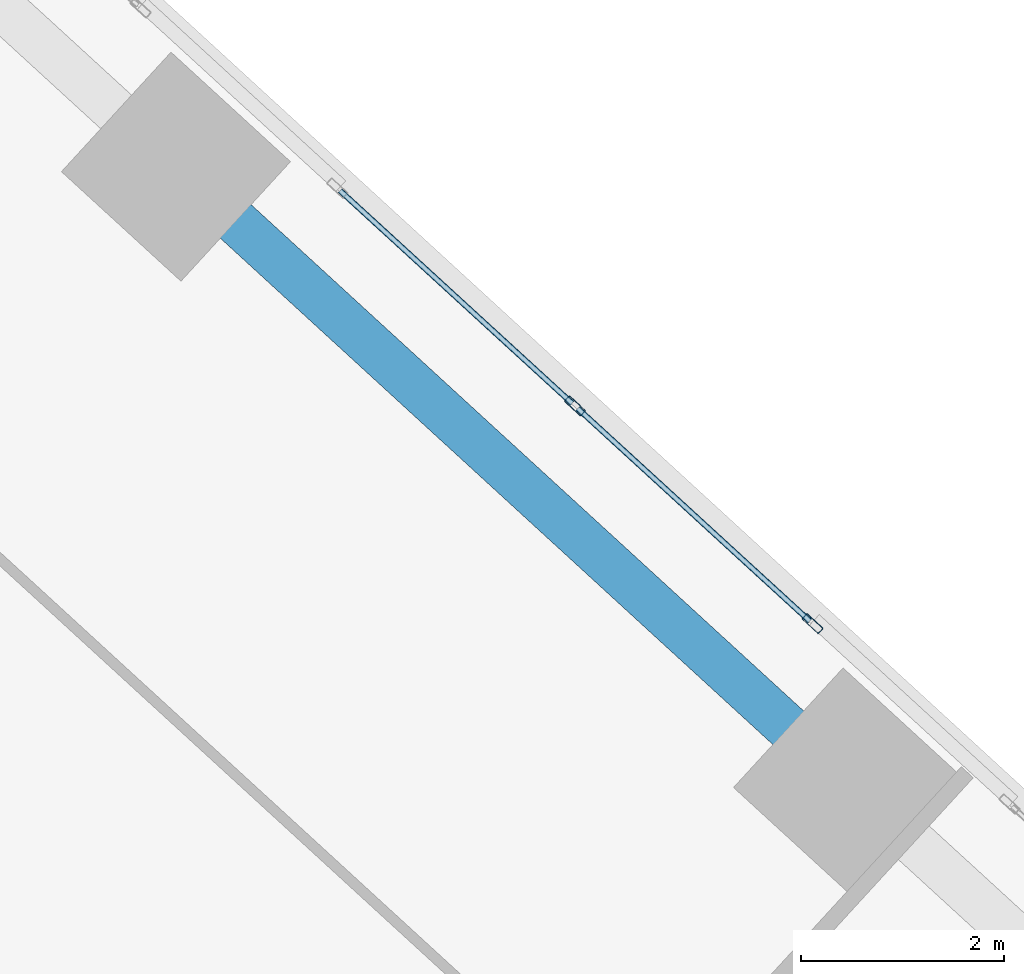
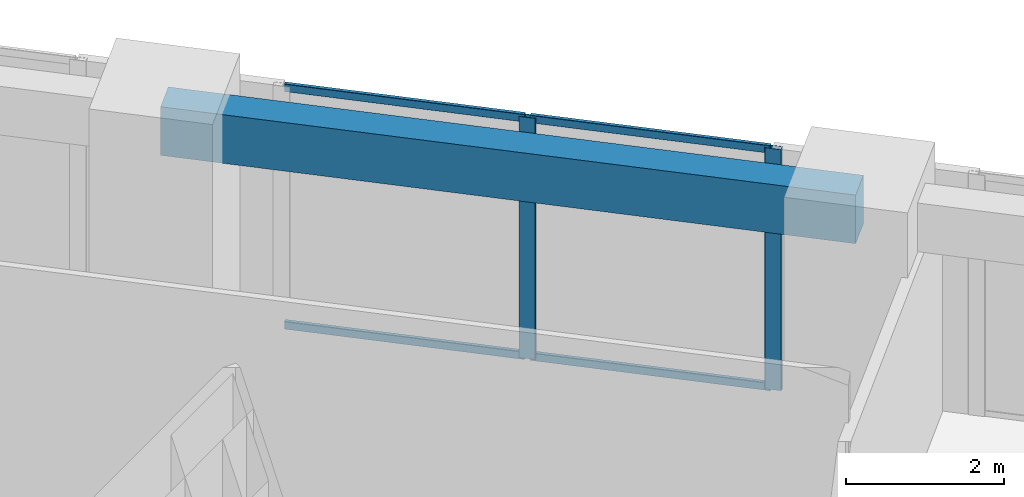
# One storey, part 12 of 19: 6 members, 1 beam, 1 element without a shape of its own.
"""IFC4 building model written with IfcOpenShell, lengths in metres."""

from ifc_helpers import new_model, si_unit, direction, frame, origin, origin_2d, place, context, subcontext, project, spatial, rectangle, hollow_rectangle, extrude, source, transform, mapped, material, material_profile, profile_set, type_object, element, aggregate, save


model = new_model("IFC4")

# Units and contexts
model_context = context("Model", 3, precision=1e-05, world=origin(), true_north=direction((0.0, 1.0)))
body_context = subcontext(model_context, "Body", "Model", "MODEL_VIEW")
ifc_project = project(units=[si_unit("LENGTHUNIT", "METRE"), si_unit("AREAUNIT", "SQUARE_METRE"), si_unit("VOLUMEUNIT", "CUBIC_METRE"), si_unit("PLANEANGLEUNIT", "RADIAN"), si_unit("MASSUNIT", "GRAM", prefix="KILO")], contexts=[model_context])

# Site, building, storey
site_placement = place(None, origin())
site = spatial("IfcSite", under=ifc_project, at=site_placement, CompositionType="ELEMENT")
building_placement = place(site_placement, origin())
building = spatial("IfcBuilding", under=site, at=building_placement, Name="Torre Montelarca", CompositionType="ELEMENT")
storey_placement = place(building_placement, frame((0.0, 0.0, 229.0)))
storey = spatial("IfcBuildingStorey", under=building, at=storey_placement, Name="L51", CompositionType="ELEMENT", Elevation=229.0)

# Beam
ifc_material_1 = material(Name="Concrete C55/67", Category="concrete")
ifc_material_profile_1 = material_profile(ifc_material_1, rectangle(XDim=0.449951171875, YDim=0.75, at=origin_2d()), Name="RCB450X750", Category="concrete")
ifc_profile_set_1 = profile_set([ifc_material_profile_1], Name="Concrete C55/67")
beam_type = type_object("IfcBeamType", Name="BM-SP-RC750-EXT", PredefinedType="SPANDREL", material=ifc_profile_set_1)
shared_shape_1 = source(origin(), body_context, "Body", "SweptSolid", [
    extrude(rectangle(XDim=0.449951171875, YDim=0.75, at=origin_2d()), origin(), (0.0, 0.0, 1.0), 8.999755859375),
])
beam_placement = place(storey_placement, frame((29.15478515625, 45.5341796875, 3.5849609375), z_axis=(0.737290375454, -0.675575978157, 0.0), x_axis=(0.675575978157, 0.737290375454, 0.0)))
element("IfcBeam", 1, at=beam_placement, inside=storey, type_object=beam_type, Name="L51 Grid Girder X 18.0-27.0 at Y=47.1", PredefinedType="SPANDREL", context=body_context, shape_type="MappedRepresentation", body=[
    mapped(shared_shape_1, transform((0.0, 0.0, 0.0), scale=1.0)),
])

# Curtain wall, members
ifc_material_2 = material(Name="Insulated low-E laminated glass", Category="glass")
curtain_wall_type = type_object("IfcCurtainWallType", Name="CW-SYS-Z3", PredefinedType="USERDEFINED", material=ifc_material_2)
curtain_wall_placement = place(storey_placement, origin())
curtain_wall = element("IfcCurtainWall", 2, at=curtain_wall_placement, inside=storey, type_object=curtain_wall_type, Name="L51 Curtain Wall Run CW-T3-L51-E08-B3", ObjectType="UNITISED GLAZING", PredefinedType="USERDEFINED")
ifc_material_3 = material(Name="Anodised aluminium AA 6063-T6", Category="aluminium")
ifc_material_profile_2 = material_profile(ifc_material_3, hollow_rectangle(XDim=0.074951171875, YDim=0.219970703125, WallThickness=0.0048828125, InnerFilletRadius=0.0048828125, OuterFilletRadius=0.010009765625, at=origin_2d()), Name="ALU75X220X5", Category="aluminium")
ifc_profile_set_2 = profile_set([ifc_material_profile_2], Name="Anodised aluminium AA 6063-T6")
member_type_1 = type_object("IfcMemberType", Name="CWM-ALU220", PredefinedType="MULLION", material=ifc_profile_set_2)
shared_shape_2 = source(origin(), body_context, "Body", "SweptSolid", [
    extrude(hollow_rectangle(XDim=0.074951171875, YDim=0.219970703125, WallThickness=0.0048828125, InnerFilletRadius=0.0048828125, OuterFilletRadius=0.010009765625, at=origin_2d()), origin(), (0.0, 0.0, 1.0), 3.719970703125),
])
member_1_placement = place(storey_placement, frame((35.4404296875, 41.0224609375, 0.0), z_axis=(0.0, 0.0, 1.0), x_axis=(-0.675595237064, -0.737272728138, 0.0)))
member_1 = element("IfcMember", 3, at=member_1_placement, type_object=member_type_1, Name="CW mullion 1", PredefinedType="MULLION", context=body_context, shape_type="MappedRepresentation", body=[
    mapped(shared_shape_2, transform((0.0, 0.0, 0.0), scale=1.0)),
])
member_2_placement = place(storey_placement, frame((33.093994140625, 43.172607421875, 0.0), z_axis=(0.0, 0.0, 1.0), x_axis=(-0.675595237064, -0.737272728138, 0.0)))
member_2 = element("IfcMember", 4, at=member_2_placement, type_object=member_type_1, Name="CW mullion 2", PredefinedType="MULLION", context=body_context, shape_type="MappedRepresentation", body=[
    mapped(shared_shape_2, transform((0.0, 0.0, 0.0), scale=1.0)),
])
ifc_material_profile_3 = material_profile(ifc_material_3, hollow_rectangle(XDim=0.054931640625, YDim=0.1201171875, WallThickness=0.00341796875, InnerFilletRadius=0.00341796875, OuterFilletRadius=0.007080078125, at=origin_2d()), Name="ALU55X120X3.5", Category="aluminium")
ifc_profile_set_3 = profile_set([ifc_material_profile_3], Name="Anodised aluminium AA 6063-T6")
member_type_2 = type_object("IfcMemberType", Name="CWT-ALU120", PredefinedType="USERDEFINED", material=ifc_profile_set_3)
shared_shape_3 = source(origin(), body_context, "Body", "SweptSolid", [
    extrude(hollow_rectangle(XDim=0.054931640625, YDim=0.1201171875, WallThickness=0.00341796875, InnerFilletRadius=0.00341796875, OuterFilletRadius=0.007080078125, at=origin_2d()), origin(), (0.0, 0.0, 1.0), 3.107421875),
])
member_3_placement = place(storey_placement, frame((35.41259765625, 41.0478515625, 0.027587890625), z_axis=(-0.737271534665, 0.675596539491, 0.0), x_axis=(-0.675596539491, -0.737271534665, 0.0)))
member_3 = element("IfcMember", 5, at=member_3_placement, type_object=member_type_2, Name="CW transom 1.1", ObjectType="TRANSOM", PredefinedType="USERDEFINED", context=body_context, shape_type="MappedRepresentation", body=[
    mapped(shared_shape_3, transform((0.0, 0.0, 0.0), scale=1.0)),
])
member_4_placement = place(storey_placement, frame((35.41259765625, 41.0478515625, 3.6923828125), z_axis=(-0.737271534665, 0.675596539491, 0.0), x_axis=(-0.675596539491, -0.737271534665, 0.0)))
member_4 = element("IfcMember", 6, at=member_4_placement, type_object=member_type_2, Name="CW transom 1.2", ObjectType="TRANSOM", PredefinedType="USERDEFINED", context=body_context, shape_type="MappedRepresentation", body=[
    mapped(shared_shape_3, transform((0.0, 0.0, 0.0), scale=1.0)),
])
member_5_placement = place(storey_placement, frame((33.06640625, 43.19775390625, 0.027587890625), z_axis=(-0.737271534665, 0.675596539491, 0.0), x_axis=(-0.675596539491, -0.737271534665, 0.0)))
member_5 = element("IfcMember", 7, at=member_5_placement, type_object=member_type_2, Name="CW transom 2.1", ObjectType="TRANSOM", PredefinedType="USERDEFINED", context=body_context, shape_type="MappedRepresentation", body=[
    mapped(shared_shape_3, transform((0.0, 0.0, 0.0), scale=1.0)),
])
member_6_placement = place(storey_placement, frame((33.06640625, 43.19775390625, 3.6923828125), z_axis=(-0.737271534665, 0.675596539491, 0.0), x_axis=(-0.675596539491, -0.737271534665, 0.0)))
member_6 = element("IfcMember", 8, at=member_6_placement, type_object=member_type_2, Name="CW transom 2.2", ObjectType="TRANSOM", PredefinedType="USERDEFINED", context=body_context, shape_type="MappedRepresentation", body=[
    mapped(shared_shape_3, transform((0.0, 0.0, 0.0), scale=1.0)),
])
aggregate(curtain_wall, [member_1, member_2, member_3, member_4, member_5, member_6])

save(model, "model.ifc")
